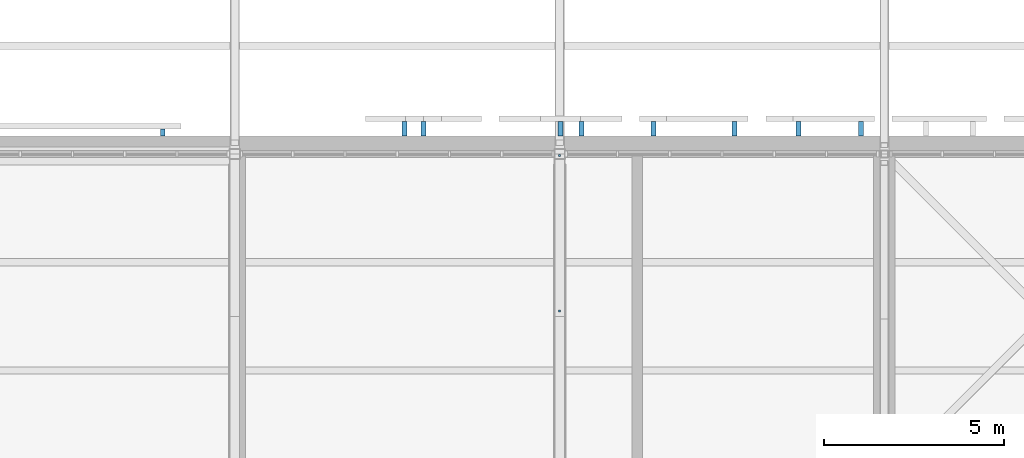
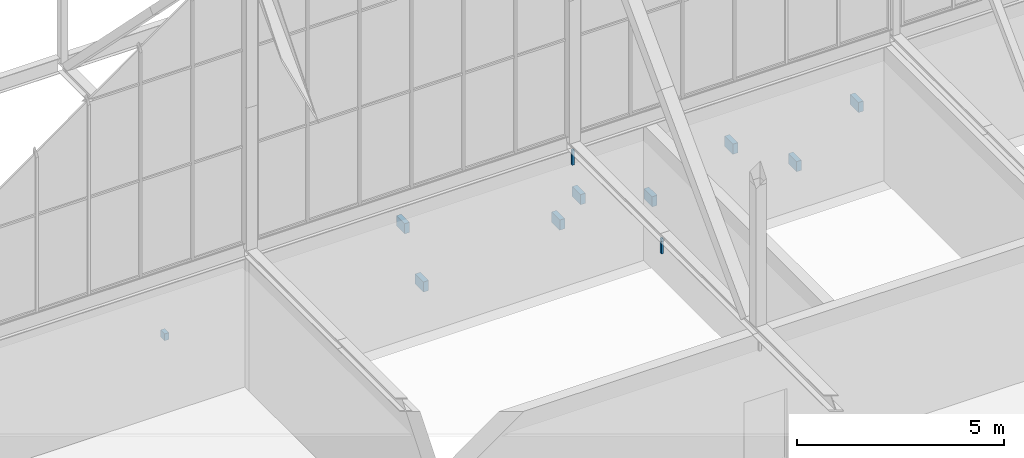
# One storey, part 232 of 646: 11 discrete accessories.
"""IFC4 building model written with IfcOpenShell, lengths in metres."""

from ifc_helpers import new_model, si_unit, direction, frame, origin, origin_2d, place, context, subcontext, project, spatial, rectangle, extrude, material, type_object, element, save


model = new_model("IFC4")

# Units and contexts
model_context = context("Model", 3, precision=1e-05, world=origin(), true_north=direction((0.0, 1.0)))
body_context = subcontext(model_context, "Body", "Model", "MODEL_VIEW")
ifc_project = project(units=[si_unit("LENGTHUNIT", "METRE"), si_unit("AREAUNIT", "SQUARE_METRE"), si_unit("VOLUMEUNIT", "CUBIC_METRE"), si_unit("PLANEANGLEUNIT", "RADIAN"), si_unit("MASSUNIT", "GRAM", prefix="KILO")], contexts=[model_context])

# Site, building, storey
site_placement = place(None, origin())
site = spatial("IfcSite", under=ifc_project, at=site_placement, CompositionType="ELEMENT")
building_placement = place(site_placement, origin())
building = spatial("IfcBuilding", under=site, at=building_placement, Name="Silverbay Arena", CompositionType="ELEMENT")
storey_placement = place(building_placement, frame((0.0, 0.0, 33.5)))
storey = spatial("IfcBuildingStorey", under=building, at=storey_placement, Name="L05", CompositionType="ELEMENT", Elevation=33.5)

# Discrete accessories
ifc_material_1 = material(Name="Steel S355", Category="steel")
discrete_accessory_type_1 = type_object("IfcDiscreteAccessoryType", Name="Ceiling hanger", PredefinedType="BRACKET", material=ifc_material_1)
for number, where, z_axis, x_axis, name in (
    (1, (153.0, 139.64990234375, 3.5498046875), (0.0, 0.0, 1.0), (1.0, 0.0, 0.0), "Ceiling hanger"),
    (2, (153.0, 143.9599609375, 3.5498046875), (0.0, 0.0, 1.0), (1.0, 0.0, 0.0), "Ceiling hanger"),
):
    element("IfcDiscreteAccessory", number, at=place(storey_placement, frame(where, z_axis=z_axis, x_axis=x_axis)), inside=storey, type_object=discrete_accessory_type_1, Name=name, PredefinedType="BRACKET", context=body_context, shape_type="SweptSolid", body=[
        extrude(rectangle(XDim=0.06005859375, YDim=0.06005859375, at=origin_2d()), origin(), (0.0, 0.0, 1.0), 0.449951171875),
    ])
ifc_material_2 = material(Name="Steel S355", Category="steel")
discrete_accessory_type_2 = type_object("IfcDiscreteAccessoryType", Name="Steel bracket plate", PredefinedType="BRACKET", material=ifc_material_2)
discrete_accessory_placement = place(storey_placement, frame((142.0, 144.60009765625, 1.89990234375), z_axis=(0.0, 0.0, 1.0), x_axis=(1.0, 0.0, 0.0)))
element("IfcDiscreteAccessory", 3, at=discrete_accessory_placement, inside=storey, type_object=discrete_accessory_type_2, Name="Louvre support bracket", PredefinedType="BRACKET", context=body_context, shape_type="SweptSolid", body=[
    extrude(rectangle(XDim=0.1201171875, YDim=0.199951171875, at=origin_2d()), origin(), (0.0, 0.0, 1.0), 0.199951171875),
])
for number, where, z_axis, x_axis, name in (
    (4, (161.35009765625, 144.699951171875, 1.85009765625), (0.0, 0.0, 1.0), (1.0, 0.0, 0.0), "Name band bracket plate"),
    (5, (159.625, 144.699951171875, 0.71240234375), (0.0, 0.0, 1.0), (1.0, 0.0, 0.0), "Name band bracket plate"),
    (6, (157.85009765625, 144.699951171875, 1.85009765625), (0.0, 0.0, 1.0), (1.0, 0.0, 0.0), "Name band bracket plate"),
    (7, (155.60009765625, 144.699951171875, 1.08740234375), (0.0, 0.0, 1.0), (1.0, 0.0, 0.0), "Name band bracket plate"),
    (8, (153.60009765625, 144.699951171875, 1.85009765625), (0.0, 0.0, 1.0), (1.0, 0.0, 0.0), "Name band bracket plate"),
    (9, (153.02490234375, 144.699951171875, 1.2998046875), (0.0, 0.0, 1.0), (1.0, 0.0, 0.0), "Name band bracket plate"),
    (10, (149.22509765625, 144.699951171875, 0.80517578125), (0.0, 0.0, 1.0), (1.0, 0.0, 0.0), "Name band bracket plate"),
    (11, (148.699951171875, 144.699951171875, 2.705078125), (0.0, 0.0, 1.0), (1.0, 0.0, 0.0), "Name band bracket plate"),
):
    element("IfcDiscreteAccessory", number, at=place(storey_placement, frame(where, z_axis=z_axis, x_axis=x_axis)), inside=storey, type_object=discrete_accessory_type_2, Name=name, PredefinedType="BRACKET", context=body_context, shape_type="SweptSolid", body=[
        extrude(rectangle(XDim=0.139892578125, YDim=0.39990234375, at=origin_2d()), origin(), (0.0, 0.0, 1.0), 0.300048828125),
    ])

save(model, "model.ifc")
